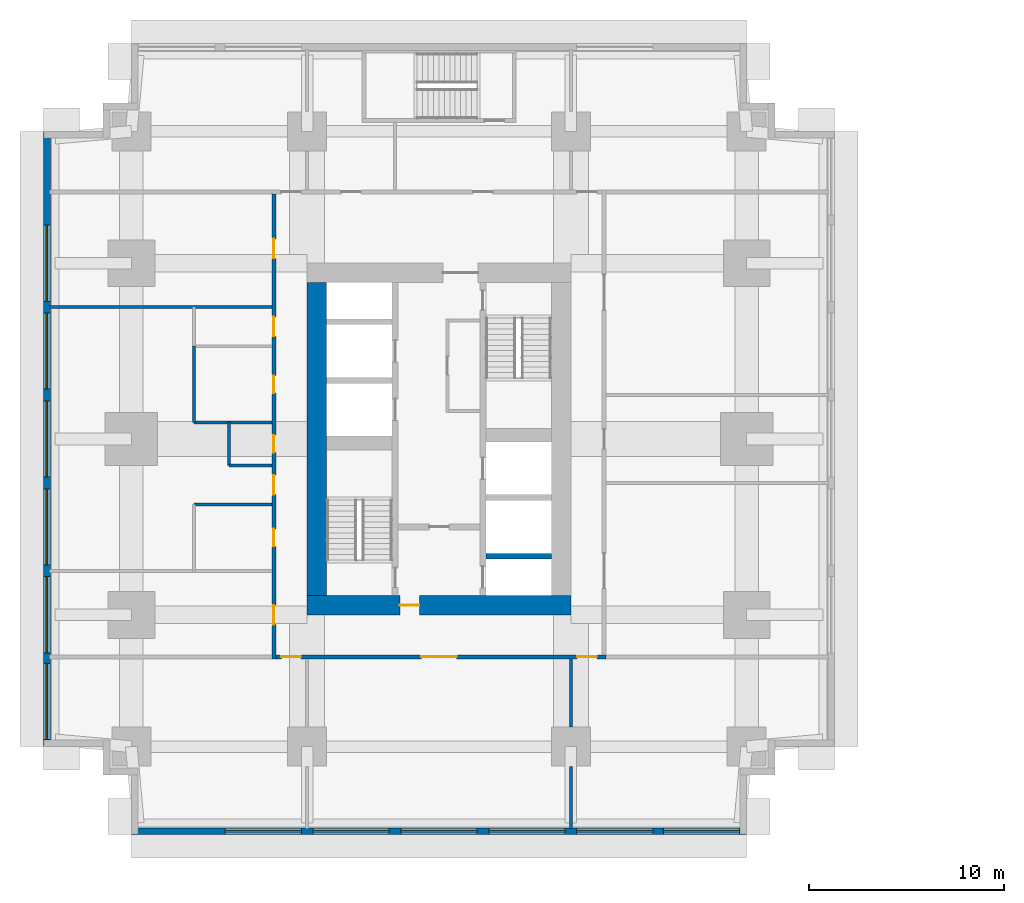
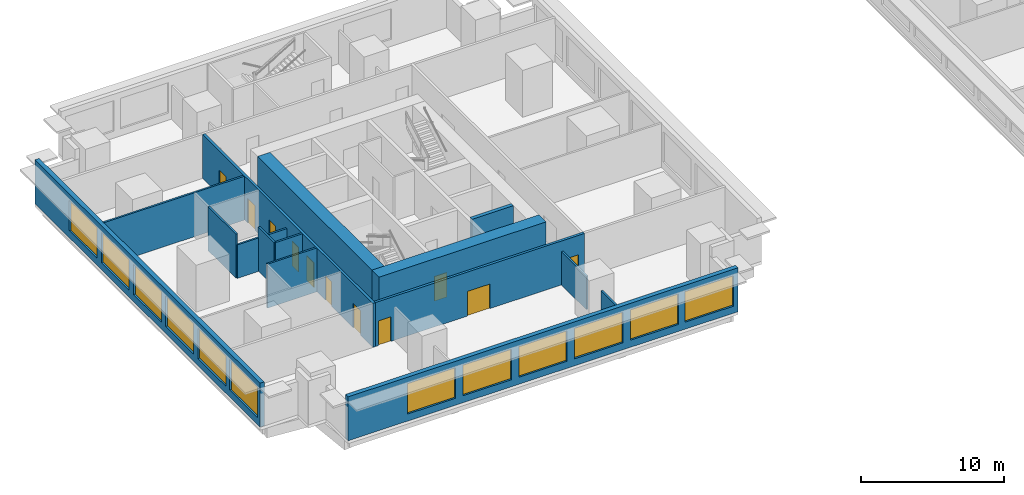
# One storey, part 3 of 11: 15 walls, 12 windows, 11 doors, 23 openings.
"""IFC4 building model written with IfcOpenShell, lengths in metres."""

from ifc_helpers import new_model, si_unit, direction, frame, frame_2d, origin, place, context, subcontext, project, spatial, rectangle, extrude, material, layer, layer_set, type_object, element, fill, save


model = new_model("IFC4")

# Units and contexts
model_context = context("Model", 3, precision=1e-05, world=origin(), true_north=direction((0.0, 1.0)))
body_context = subcontext(model_context, "Body", "Model", "MODEL_VIEW")
ifc_project = project(units=[si_unit("LENGTHUNIT", "METRE"), si_unit("AREAUNIT", "SQUARE_METRE"), si_unit("VOLUMEUNIT", "CUBIC_METRE"), si_unit("PLANEANGLEUNIT", "RADIAN"), si_unit("MASSUNIT", "GRAM", prefix="KILO")], contexts=[model_context])

# Site, building, storey
site_placement = place(None, origin())
site = spatial("IfcSite", under=ifc_project, at=site_placement, CompositionType="ELEMENT")
building_placement = place(site_placement, origin())
building = spatial("IfcBuilding", under=site, at=building_placement, Name="Namib Vertical Campus", CompositionType="ELEMENT")
storey_placement = place(building_placement, frame((0.0, 0.0, 53.0)))
storey = spatial("IfcBuildingStorey", under=building, at=storey_placement, Name="L12", CompositionType="ELEMENT", Elevation=53.0)

# Wall
ifc_material_1 = material(Name="Concrete C60/75", Category="concrete")
ifc_layer_1 = layer(ifc_material_1, 0.300048828125)
ifc_layer_set_1 = layer_set([ifc_layer_1], Name="Concrete C60/75")
wall_type_1 = type_object("IfcWallType", Name="Core inner wall 300", PredefinedType="SHEAR", material=ifc_layer_set_1)
wall_1_placement = place(storey_placement, frame((22.64990234375, 14.25, 0.0), z_axis=(0.0, 0.0, 1.0), x_axis=(1.0, 0.0, 0.0)))
element("IfcWall", 1, at=wall_1_placement, inside=storey, type_object=wall_type_1, Name="Core inner wall A L12 W5", PredefinedType="SHEAR", context=body_context, shape_type="SweptSolid", body=[
    extrude(rectangle(XDim=3.35009765625, YDim=0.300048828125, at=frame_2d((1.675048828125, 0.0))), origin(), (0.0, 0.0, 1.0), 4.0),
])

# Wall, opening, door
ifc_material_2 = material(Name="Concrete C60/75", Category="concrete")
ifc_layer_2 = layer(ifc_material_2, 1.0)
ifc_layer_set_2 = layer_set([ifc_layer_2], Name="Concrete C60/75")
wall_type_2 = type_object("IfcWallType", Name="Core wall 1000", PredefinedType="SHEAR", material=ifc_layer_set_2)
wall_2_placement = place(storey_placement, frame((13.5, 11.75, 0.0), z_axis=(0.0, 0.0, 1.0), x_axis=(1.0, 0.0, 0.0)))
wall_2 = element("IfcWall", 2, at=wall_2_placement, inside=storey, type_object=wall_type_2, Name="Core wall A L12 1", PredefinedType="SHEAR", context=body_context, shape_type="SweptSolid", body=[
    extrude(rectangle(XDim=13.5, YDim=1.0, at=frame_2d((6.75, 0.0))), origin(), (0.0, 0.0, 1.0), 4.0),
])
opening_1_placement = place(wall_2_placement, frame((4.75, 0.0, 0.0)))
opening_1 = element("IfcOpeningElement", 3, at=opening_1_placement, cuts=wall_2, Name="Opening FD5", PredefinedType="OPENING", context=body_context, shape_type="SweptSolid", body=[
    extrude(rectangle(XDim=1.0, YDim=2.10009765625, at=frame_2d((0.5, 1.050048828125))), frame((0.0, 0.510009765625, 0.0), z_axis=(0.0, -1.0, 0.0), x_axis=(1.0, 0.0, 0.0)), (0.0, 0.0, 1.0), 1.02001953125),
])
ifc_material_3 = material(Name="Steel fire door", Category="steel")
door_type_1 = type_object("IfcDoorType", Name="Fire door 1000x2100 120 min", OperationType="SINGLE_SWING_RIGHT", PredefinedType="DOOR", material=ifc_material_3)
door_1_placement = place(opening_1_placement, origin())
door_1 = element("IfcDoor", 4, at=door_1_placement, inside=storey, type_object=door_type_1, Name="Firefighting lobby door FD5 A L12", OperationType="SINGLE_SWING_LEFT", OverallHeight=2.10009765625, OverallWidth=1.0, PredefinedType="DOOR", context=body_context, shape_type="SweptSolid", body=[
    extrude(rectangle(XDim=1.0, YDim=2.10009765625, at=frame_2d((0.5, 1.050048828125))), frame((0.0, 0.02490234375, 0.0), z_axis=(0.0, -1.0, 0.0), x_axis=(1.0, 0.0, 0.0)), (0.0, 0.0, 1.0), 0.050048828125),
])
fill(opening_1, door_1)

# Wall
wall_3_placement = place(storey_placement, frame((14.0, 28.25, 0.0), z_axis=(0.0, 0.0, 1.0), x_axis=(0.0, -1.0, 0.0)))
element("IfcWall", 5, at=wall_3_placement, inside=storey, type_object=wall_type_2, Name="Core wall A L12 4", PredefinedType="SHEAR", context=body_context, shape_type="SweptSolid", body=[
    extrude(rectangle(XDim=16.0, YDim=1.0, at=frame_2d((8.0, 0.0))), origin(), (0.0, 0.0, 1.0), 4.0),
])

# Wall, openings, doors
ifc_material_4 = material(Name="Concrete masonry", Category="masonry")
ifc_layer_3 = layer(ifc_material_4, 0.199951171875)
ifc_layer_set_3 = layer_set([ifc_layer_3], Name="Corridor wall 200")
wall_type_3 = type_object("IfcWallType", Name="Corridor wall 200", PredefinedType="SOLIDWALL", material=ifc_layer_set_3)
wall_4_placement = place(storey_placement, frame((11.89990234375, 9.10009765625, 0.0), z_axis=(0.0, 0.0, 1.0), x_axis=(1.0, 0.0, 0.0)))
wall_4 = element("IfcWall", 6, at=wall_4_placement, inside=storey, type_object=wall_type_3, Name="Corridor wall A L12 CS", PredefinedType="SOLIDWALL", context=body_context, shape_type="SweptSolid", body=[
    extrude(rectangle(XDim=16.900146484375, YDim=0.199951171875, at=frame_2d((8.4501953125, 0.0))), origin(), (0.0, 0.0, 1.0), 3.75),
])
opening_2_placement = place(wall_4_placement, frame((0.27490234375, 0.0, 0.0)))
opening_2 = element("IfcOpeningElement", 7, at=opening_2_placement, cuts=wall_4, Name="Opening CD1", PredefinedType="OPENING", context=body_context, shape_type="SweptSolid", body=[
    extrude(rectangle(XDim=1.0, YDim=2.10009765625, at=frame_2d((0.5, 1.050048828125))), frame((0.0, 0.10986328125, 0.0), z_axis=(0.0, -1.0, 0.0), x_axis=(1.0, 0.0, 0.0)), (0.0, 0.0, 1.0), 0.219970703125),
])
opening_3_placement = place(wall_4_placement, frame((7.449951171875, 0.0, 0.0)))
opening_3 = element("IfcOpeningElement", 8, at=opening_3_placement, cuts=wall_4, Name="Opening CD2", PredefinedType="OPENING", context=body_context, shape_type="SweptSolid", body=[
    extrude(rectangle(XDim=1.800048828125, YDim=2.10009765625, at=frame_2d((0.89990234375, 1.050048828125))), frame((0.0, 0.10986328125, 0.0), z_axis=(0.0, -1.0, 0.0), x_axis=(1.0, 0.0, 0.0)), (0.0, 0.0, 1.0), 0.219970703125),
])
opening_4_placement = place(wall_4_placement, frame((15.425048828125, 0.0, 0.0)))
opening_4 = element("IfcOpeningElement", 9, at=opening_4_placement, cuts=wall_4, Name="Opening CD1", PredefinedType="OPENING", context=body_context, shape_type="SweptSolid", body=[
    extrude(rectangle(XDim=1.0, YDim=2.10009765625, at=frame_2d((0.5, 1.050048828125))), frame((0.0, 0.10986328125, 0.0), z_axis=(0.0, -1.0, 0.0), x_axis=(1.0, 0.0, 0.0)), (0.0, 0.0, 1.0), 0.219970703125),
])
ifc_material_5 = material(Name="Timber fire door leaf", Category="wood")
door_type_2 = type_object("IfcDoorType", Name="Corridor door 1000x2100 20 min", OperationType="SINGLE_SWING_LEFT", PredefinedType="DOOR", material=ifc_material_5)
door_2_placement = place(opening_2_placement, frame((1.0, 0.0, 0.0), z_axis=(0.0, 0.0, 1.0), x_axis=(-1.0, 0.0, 0.0)))
door_2 = element("IfcDoor", 10, at=door_2_placement, inside=storey, type_object=door_type_2, Name="Door CD1 A12-01", OperationType="SINGLE_SWING_LEFT", OverallHeight=2.10009765625, OverallWidth=1.0, PredefinedType="DOOR", context=body_context, shape_type="SweptSolid", body=[
    extrude(rectangle(XDim=1.0, YDim=2.10009765625, at=frame_2d((0.5, 1.050048828125))), frame((0.0, 0.02490234375, 0.0), z_axis=(0.0, -1.0, 0.0), x_axis=(1.0, 0.0, 0.0)), (0.0, 0.0, 1.0), 0.050048828125),
])
fill(opening_2, door_2)
door_3_placement = place(opening_4_placement, frame((1.0, 0.0, 0.0), z_axis=(0.0, 0.0, 1.0), x_axis=(-1.0, 0.0, 0.0)))
door_3 = element("IfcDoor", 11, at=door_3_placement, inside=storey, type_object=door_type_2, Name="Door CD1 A12-03", OperationType="SINGLE_SWING_RIGHT", OverallHeight=2.10009765625, OverallWidth=1.0, PredefinedType="DOOR", context=body_context, shape_type="SweptSolid", body=[
    extrude(rectangle(XDim=1.0, YDim=2.10009765625, at=frame_2d((0.5, 1.050048828125))), frame((0.0, 0.02490234375, 0.0), z_axis=(0.0, -1.0, 0.0), x_axis=(1.0, 0.0, 0.0)), (0.0, 0.0, 1.0), 0.050048828125),
])
fill(opening_4, door_3)
ifc_material_6 = material(Name="Timber fire door leaf", Category="wood")
door_type_3 = type_object("IfcDoorType", Name="Corridor door double 1800x2100 20 min", OperationType="DOUBLE_DOOR_SINGLE_SWING", PredefinedType="DOOR", material=ifc_material_6)
door_4_placement = place(opening_3_placement, frame((1.800048828125, 0.0, 0.0), z_axis=(0.0, 0.0, 1.0), x_axis=(-1.0, 0.0, 0.0)))
door_4 = element("IfcDoor", 12, at=door_4_placement, inside=storey, type_object=door_type_3, Name="Door CD2 A12-02", OperationType="DOUBLE_DOOR_SINGLE_SWING", OverallHeight=2.10009765625, OverallWidth=1.800048828125, PredefinedType="DOOR", context=body_context, shape_type="SweptSolid", body=[
    extrude(rectangle(XDim=1.800048828125, YDim=2.10009765625, at=frame_2d((0.89990234375, 1.050048828125))), frame((0.0, 0.02490234375, 0.0), z_axis=(0.0, -1.0, 0.0), x_axis=(1.0, 0.0, 0.0)), (0.0, 0.0, 1.0), 0.050048828125),
])
fill(opening_3, door_4)

wall_5_placement = place(storey_placement, frame((11.800048828125, 32.800048828125, 0.0), z_axis=(0.0, 0.0, 1.0), x_axis=(0.0, -1.0, 0.0)))
wall_5 = element("IfcWall", 13, at=wall_5_placement, inside=storey, type_object=wall_type_3, Name="Corridor wall A L12 CW", PredefinedType="SOLIDWALL", context=body_context, shape_type="SweptSolid", body=[
    extrude(rectangle(XDim=23.800048828125, YDim=0.199951171875, at=frame_2d((11.89990234375, 0.0))), origin(), (0.0, 0.0, 1.0), 3.75),
])
opening_5_placement = place(wall_5_placement, frame((21.050048828125, 0.0, 0.0)))
opening_5 = element("IfcOpeningElement", 14, at=opening_5_placement, cuts=wall_5, Name="Opening CD1", PredefinedType="OPENING", context=body_context, shape_type="SweptSolid", body=[
    extrude(rectangle(XDim=1.0, YDim=2.10009765625, at=frame_2d((0.5, 1.050048828125))), frame((0.0, 0.10986328125, 0.0), z_axis=(0.0, -1.0, 0.0), x_axis=(1.0, 0.0, 0.0)), (0.0, 0.0, 1.0), 0.219970703125),
])
opening_6_placement = place(wall_5_placement, frame((17.14990234375, 0.0, 0.0)))
opening_6 = element("IfcOpeningElement", 15, at=opening_6_placement, cuts=wall_5, Name="Opening CD3", PredefinedType="OPENING", context=body_context, shape_type="SweptSolid", body=[
    extrude(rectangle(XDim=0.89990234375, YDim=2.10009765625, at=frame_2d((0.449951171875, 1.050048828125))), frame((0.0, 0.10986328125, 0.0), z_axis=(0.0, -1.0, 0.0), x_axis=(1.0, 0.0, 0.0)), (0.0, 0.0, 1.0), 0.219970703125),
])
opening_7_placement = place(wall_5_placement, frame((12.35009765625, 0.0, 0.0)))
opening_7 = element("IfcOpeningElement", 16, at=opening_7_placement, cuts=wall_5, Name="Opening CD3", PredefinedType="OPENING", context=body_context, shape_type="SweptSolid", body=[
    extrude(rectangle(XDim=0.89990234375, YDim=2.10009765625, at=frame_2d((0.449951171875, 1.050048828125))), frame((0.0, 0.10986328125, 0.0), z_axis=(0.0, -1.0, 0.0), x_axis=(1.0, 0.0, 0.0)), (0.0, 0.0, 1.0), 0.219970703125),
])
opening_8_placement = place(wall_5_placement, frame((9.300048828125, 0.0, 0.0)))
opening_8 = element("IfcOpeningElement", 17, at=opening_8_placement, cuts=wall_5, Name="Opening CD3", PredefinedType="OPENING", context=body_context, shape_type="SweptSolid", body=[
    extrude(rectangle(XDim=0.89990234375, YDim=2.10009765625, at=frame_2d((0.449951171875, 1.050048828125))), frame((0.0, 0.10986328125, 0.0), z_axis=(0.0, -1.0, 0.0), x_axis=(1.0, 0.0, 0.0)), (0.0, 0.0, 1.0), 0.219970703125),
])
opening_9_placement = place(wall_5_placement, frame((6.300048828125, 0.0, 0.0)))
opening_9 = element("IfcOpeningElement", 18, at=opening_9_placement, cuts=wall_5, Name="Opening CD1", PredefinedType="OPENING", context=body_context, shape_type="SweptSolid", body=[
    extrude(rectangle(XDim=1.0, YDim=2.10009765625, at=frame_2d((0.5, 1.050048828125))), frame((0.0, 0.10986328125, 0.0), z_axis=(0.0, -1.0, 0.0), x_axis=(1.0, 0.0, 0.0)), (0.0, 0.0, 1.0), 0.219970703125),
])
opening_10_placement = place(wall_5_placement, frame((14.39990234375, 0.0, 0.0)))
opening_10 = element("IfcOpeningElement", 19, at=opening_10_placement, cuts=wall_5, Name="Opening CD1", PredefinedType="OPENING", context=body_context, shape_type="SweptSolid", body=[
    extrude(rectangle(XDim=1.0, YDim=2.10009765625, at=frame_2d((0.5, 1.050048828125))), frame((0.0, 0.10986328125, 0.0), z_axis=(0.0, -1.0, 0.0), x_axis=(1.0, 0.0, 0.0)), (0.0, 0.0, 1.0), 0.219970703125),
])
opening_11_placement = place(wall_5_placement, frame((2.300048828125, 0.0, 0.0)))
opening_11 = element("IfcOpeningElement", 20, at=opening_11_placement, cuts=wall_5, Name="Opening CD1", PredefinedType="OPENING", context=body_context, shape_type="SweptSolid", body=[
    extrude(rectangle(XDim=1.0, YDim=2.10009765625, at=frame_2d((0.5, 1.050048828125))), frame((0.0, 0.10986328125, 0.0), z_axis=(0.0, -1.0, 0.0), x_axis=(1.0, 0.0, 0.0)), (0.0, 0.0, 1.0), 0.219970703125),
])
door_5_placement = place(opening_5_placement, frame((1.0, 0.0, 0.0), z_axis=(0.0, 0.0, 1.0), x_axis=(-1.0, 0.0, 0.0)))
door_5 = element("IfcDoor", 21, at=door_5_placement, inside=storey, type_object=door_type_2, Name="Door CD1 A12-11", OperationType="SINGLE_SWING_RIGHT", OverallHeight=2.10009765625, OverallWidth=1.0, PredefinedType="DOOR", context=body_context, shape_type="SweptSolid", body=[
    extrude(rectangle(XDim=1.0, YDim=2.10009765625, at=frame_2d((0.5, 1.050048828125))), frame((0.0, 0.02490234375, 0.0), z_axis=(0.0, -1.0, 0.0), x_axis=(1.0, 0.0, 0.0)), (0.0, 0.0, 1.0), 0.050048828125),
])
fill(opening_5, door_5)
door_6_placement = place(opening_9_placement, frame((1.0, 0.0, 0.0), z_axis=(0.0, 0.0, 1.0), x_axis=(-1.0, 0.0, 0.0)))
door_6 = element("IfcDoor", 22, at=door_6_placement, inside=storey, type_object=door_type_2, Name="Door CD1 A12-15", OperationType="SINGLE_SWING_RIGHT", OverallHeight=2.10009765625, OverallWidth=1.0, PredefinedType="DOOR", context=body_context, shape_type="SweptSolid", body=[
    extrude(rectangle(XDim=1.0, YDim=2.10009765625, at=frame_2d((0.5, 1.050048828125))), frame((0.0, 0.02490234375, 0.0), z_axis=(0.0, -1.0, 0.0), x_axis=(1.0, 0.0, 0.0)), (0.0, 0.0, 1.0), 0.050048828125),
])
fill(opening_9, door_6)
door_7_placement = place(opening_10_placement, frame((1.0, 0.0, 0.0), z_axis=(0.0, 0.0, 1.0), x_axis=(-1.0, 0.0, 0.0)))
door_7 = element("IfcDoor", 23, at=door_7_placement, inside=storey, type_object=door_type_2, Name="Door CD1 A12-16", OperationType="SINGLE_SWING_RIGHT", OverallHeight=2.10009765625, OverallWidth=1.0, PredefinedType="DOOR", context=body_context, shape_type="SweptSolid", body=[
    extrude(rectangle(XDim=1.0, YDim=2.10009765625, at=frame_2d((0.5, 1.050048828125))), frame((0.0, 0.02490234375, 0.0), z_axis=(0.0, -1.0, 0.0), x_axis=(1.0, 0.0, 0.0)), (0.0, 0.0, 1.0), 0.050048828125),
])
fill(opening_10, door_7)
door_8_placement = place(opening_11_placement, frame((1.0, 0.0, 0.0), z_axis=(0.0, 0.0, 1.0), x_axis=(-1.0, 0.0, 0.0)))
door_8 = element("IfcDoor", 24, at=door_8_placement, inside=storey, type_object=door_type_2, Name="Door CD1 A12-17", OperationType="SINGLE_SWING_RIGHT", OverallHeight=2.10009765625, OverallWidth=1.0, PredefinedType="DOOR", context=body_context, shape_type="SweptSolid", body=[
    extrude(rectangle(XDim=1.0, YDim=2.10009765625, at=frame_2d((0.5, 1.050048828125))), frame((0.0, 0.02490234375, 0.0), z_axis=(0.0, -1.0, 0.0), x_axis=(1.0, 0.0, 0.0)), (0.0, 0.0, 1.0), 0.050048828125),
])
fill(opening_11, door_8)
ifc_material_7 = material(Name="Timber fire door leaf", Category="wood")
door_type_4 = type_object("IfcDoorType", Name="Corridor toilet door 900x2100 20 min", OperationType="SINGLE_SWING_LEFT", PredefinedType="DOOR", material=ifc_material_7)
door_9_placement = place(opening_6_placement, frame((0.89990234375, 0.0, 0.0), z_axis=(0.0, 0.0, 1.0), x_axis=(-1.0, 0.0, 0.0)))
door_9 = element("IfcDoor", 25, at=door_9_placement, inside=storey, type_object=door_type_4, Name="Door CD3 A12-12", OperationType="SINGLE_SWING_RIGHT", OverallHeight=2.10009765625, OverallWidth=0.89990234375, PredefinedType="DOOR", context=body_context, shape_type="SweptSolid", body=[
    extrude(rectangle(XDim=0.89990234375, YDim=2.10009765625, at=frame_2d((0.449951171875, 1.050048828125))), frame((0.0, 0.02490234375, 0.0), z_axis=(0.0, -1.0, 0.0), x_axis=(1.0, 0.0, 0.0)), (0.0, 0.0, 1.0), 0.050048828125),
])
fill(opening_6, door_9)
door_10_placement = place(opening_7_placement, frame((0.89990234375, 0.0, 0.0), z_axis=(0.0, 0.0, 1.0), x_axis=(-1.0, 0.0, 0.0)))
door_10 = element("IfcDoor", 26, at=door_10_placement, inside=storey, type_object=door_type_4, Name="Door CD3 A12-13", OperationType="SINGLE_SWING_RIGHT", OverallHeight=2.10009765625, OverallWidth=0.89990234375, PredefinedType="DOOR", context=body_context, shape_type="SweptSolid", body=[
    extrude(rectangle(XDim=0.89990234375, YDim=2.10009765625, at=frame_2d((0.449951171875, 1.050048828125))), frame((0.0, 0.02490234375, 0.0), z_axis=(0.0, -1.0, 0.0), x_axis=(1.0, 0.0, 0.0)), (0.0, 0.0, 1.0), 0.050048828125),
])
fill(opening_7, door_10)
door_11_placement = place(opening_8_placement, frame((0.89990234375, 0.0, 0.0), z_axis=(0.0, 0.0, 1.0), x_axis=(-1.0, 0.0, 0.0)))
door_11 = element("IfcDoor", 27, at=door_11_placement, inside=storey, type_object=door_type_4, Name="Door CD3 A12-14", OperationType="SINGLE_SWING_RIGHT", OverallHeight=2.10009765625, OverallWidth=0.89990234375, PredefinedType="DOOR", context=body_context, shape_type="SweptSolid", body=[
    extrude(rectangle(XDim=0.89990234375, YDim=2.10009765625, at=frame_2d((0.449951171875, 1.050048828125))), frame((0.0, 0.02490234375, 0.0), z_axis=(0.0, -1.0, 0.0), x_axis=(1.0, 0.0, 0.0)), (0.0, 0.0, 1.0), 0.050048828125),
])
fill(opening_8, door_11)

# Wall, openings, windows
ifc_material_8 = material(Name="Concrete C40/50", Category="concrete")
ifc_layer_4 = layer(ifc_material_8, 0.35009765625)
ifc_layer_set_4 = layer_set([ifc_layer_4], Name="Concrete C40/50")
wall_type_4 = type_object("IfcWallType", Name="External wall 350 bush-hammered concrete", PredefinedType="STANDARD", material=ifc_layer_set_4)
wall_6_placement = place(storey_placement, frame((4.52001953125, 0.175048828125, 0.0), z_axis=(0.0, 0.0, 1.0), x_axis=(1.0, 0.0, 0.0)))
wall_6 = element("IfcWall", 28, at=wall_6_placement, inside=storey, type_object=wall_type_4, Name="External wall L12 F01", PredefinedType="STANDARD", context=body_context, shape_type="SweptSolid", body=[
    extrude(rectangle(XDim=31.4599609375, YDim=0.35009765625, at=frame_2d((15.72998046875, 0.0))), origin(), (0.0, 0.0, 1.0), 3.75),
])
opening_12_placement = place(wall_6_placement, frame((4.780029296875, 0.0, 0.60009765625)))
opening_12 = element("IfcOpeningElement", 29, at=opening_12_placement, cuts=wall_6, Name="Opening W2", PredefinedType="OPENING", context=body_context, shape_type="SweptSolid", body=[
    extrude(rectangle(XDim=3.89990234375, YDim=2.60009765625, at=frame_2d((1.949951171875, 1.300048828125))), frame((0.0, 0.18505859375, 0.0), z_axis=(0.0, -1.0, 0.0), x_axis=(1.0, 0.0, 0.0)), (0.0, 0.0, 1.0), 0.3701171875),
])
opening_13_placement = place(wall_6_placement, frame((9.280029296875, 0.0, 0.60009765625)))
opening_13 = element("IfcOpeningElement", 30, at=opening_13_placement, cuts=wall_6, Name="Opening W2", PredefinedType="OPENING", context=body_context, shape_type="SweptSolid", body=[
    extrude(rectangle(XDim=3.89990234375, YDim=2.60009765625, at=frame_2d((1.949951171875, 1.300048828125))), frame((0.0, 0.18505859375, 0.0), z_axis=(0.0, -1.0, 0.0), x_axis=(1.0, 0.0, 0.0)), (0.0, 0.0, 1.0), 0.3701171875),
])
opening_14_placement = place(wall_6_placement, frame((13.780029296875, 0.0, 0.60009765625)))
opening_14 = element("IfcOpeningElement", 31, at=opening_14_placement, cuts=wall_6, Name="Opening W2", PredefinedType="OPENING", context=body_context, shape_type="SweptSolid", body=[
    extrude(rectangle(XDim=3.89990234375, YDim=2.60009765625, at=frame_2d((1.949951171875, 1.300048828125))), frame((0.0, 0.18505859375, 0.0), z_axis=(0.0, -1.0, 0.0), x_axis=(1.0, 0.0, 0.0)), (0.0, 0.0, 1.0), 0.3701171875),
])
opening_15_placement = place(wall_6_placement, frame((18.280029296875, 0.0, 0.60009765625)))
opening_15 = element("IfcOpeningElement", 32, at=opening_15_placement, cuts=wall_6, Name="Opening W2", PredefinedType="OPENING", context=body_context, shape_type="SweptSolid", body=[
    extrude(rectangle(XDim=3.89990234375, YDim=2.60009765625, at=frame_2d((1.949951171875, 1.300048828125))), frame((0.0, 0.18505859375, 0.0), z_axis=(0.0, -1.0, 0.0), x_axis=(1.0, 0.0, 0.0)), (0.0, 0.0, 1.0), 0.3701171875),
])
opening_16_placement = place(wall_6_placement, frame((22.780029296875, 0.0, 0.60009765625)))
opening_16 = element("IfcOpeningElement", 33, at=opening_16_placement, cuts=wall_6, Name="Opening W2", PredefinedType="OPENING", context=body_context, shape_type="SweptSolid", body=[
    extrude(rectangle(XDim=3.89990234375, YDim=2.60009765625, at=frame_2d((1.949951171875, 1.300048828125))), frame((0.0, 0.18505859375, 0.0), z_axis=(0.0, -1.0, 0.0), x_axis=(1.0, 0.0, 0.0)), (0.0, 0.0, 1.0), 0.3701171875),
])
opening_17_placement = place(wall_6_placement, frame((27.2099609375, 0.0, 0.60009765625)))
opening_17 = element("IfcOpeningElement", 34, at=opening_17_placement, cuts=wall_6, Name="Opening W2", PredefinedType="OPENING", context=body_context, shape_type="SweptSolid", body=[
    extrude(rectangle(XDim=3.89990234375, YDim=2.60009765625, at=frame_2d((1.949951171875, 1.300048828125))), frame((0.0, 0.18505859375, 0.0), z_axis=(0.0, -1.0, 0.0), x_axis=(1.0, 0.0, 0.0)), (0.0, 0.0, 1.0), 0.3701171875),
])
ifc_material_9 = material(Name="Dark tinted glass in black aluminium frame", Category="aluminium")
window_type = type_object("IfcWindowType", Name="Ribbon window 3900x2600", PartitioningType="SINGLE_PANEL", PredefinedType="WINDOW", material=ifc_material_9)
window_1_placement = place(opening_12_placement, origin())
window_1 = element("IfcWindow", 35, at=window_1_placement, inside=storey, type_object=window_type, Name="Window W2 L12 F01-2", OverallHeight=2.60009765625, OverallWidth=3.89990234375, PartitioningType="SINGLE_PANEL", PredefinedType="WINDOW", context=body_context, shape_type="SweptSolid", body=[
    extrude(rectangle(XDim=3.89990234375, YDim=2.60009765625, at=frame_2d((1.949951171875, 1.300048828125))), frame((0.0, 0.030029296875, 0.0), z_axis=(0.0, -1.0, 0.0), x_axis=(1.0, 0.0, 0.0)), (0.0, 0.0, 1.0), 0.06005859375),
])
fill(opening_12, window_1)
window_2_placement = place(opening_13_placement, origin())
window_2 = element("IfcWindow", 36, at=window_2_placement, inside=storey, type_object=window_type, Name="Window W2 L12 F01-3", OverallHeight=2.60009765625, OverallWidth=3.89990234375, PartitioningType="SINGLE_PANEL", PredefinedType="WINDOW", context=body_context, shape_type="SweptSolid", body=[
    extrude(rectangle(XDim=3.89990234375, YDim=2.60009765625, at=frame_2d((1.949951171875, 1.300048828125))), frame((0.0, 0.030029296875, 0.0), z_axis=(0.0, -1.0, 0.0), x_axis=(1.0, 0.0, 0.0)), (0.0, 0.0, 1.0), 0.06005859375),
])
fill(opening_13, window_2)
window_3_placement = place(opening_14_placement, origin())
window_3 = element("IfcWindow", 37, at=window_3_placement, inside=storey, type_object=window_type, Name="Window W2 L12 F01-4", OverallHeight=2.60009765625, OverallWidth=3.89990234375, PartitioningType="SINGLE_PANEL", PredefinedType="WINDOW", context=body_context, shape_type="SweptSolid", body=[
    extrude(rectangle(XDim=3.89990234375, YDim=2.60009765625, at=frame_2d((1.949951171875, 1.300048828125))), frame((0.0, 0.030029296875, 0.0), z_axis=(0.0, -1.0, 0.0), x_axis=(1.0, 0.0, 0.0)), (0.0, 0.0, 1.0), 0.06005859375),
])
fill(opening_14, window_3)
window_4_placement = place(opening_15_placement, origin())
window_4 = element("IfcWindow", 38, at=window_4_placement, inside=storey, type_object=window_type, Name="Window W2 L12 F01-5", OverallHeight=2.60009765625, OverallWidth=3.89990234375, PartitioningType="SINGLE_PANEL", PredefinedType="WINDOW", context=body_context, shape_type="SweptSolid", body=[
    extrude(rectangle(XDim=3.89990234375, YDim=2.60009765625, at=frame_2d((1.949951171875, 1.300048828125))), frame((0.0, 0.030029296875, 0.0), z_axis=(0.0, -1.0, 0.0), x_axis=(1.0, 0.0, 0.0)), (0.0, 0.0, 1.0), 0.06005859375),
])
fill(opening_15, window_4)
window_5_placement = place(opening_16_placement, origin())
window_5 = element("IfcWindow", 39, at=window_5_placement, inside=storey, type_object=window_type, Name="Window W2 L12 F01-6", OverallHeight=2.60009765625, OverallWidth=3.89990234375, PartitioningType="SINGLE_PANEL", PredefinedType="WINDOW", context=body_context, shape_type="SweptSolid", body=[
    extrude(rectangle(XDim=3.89990234375, YDim=2.60009765625, at=frame_2d((1.949951171875, 1.300048828125))), frame((0.0, 0.030029296875, 0.0), z_axis=(0.0, -1.0, 0.0), x_axis=(1.0, 0.0, 0.0)), (0.0, 0.0, 1.0), 0.06005859375),
])
fill(opening_16, window_5)
window_6_placement = place(opening_17_placement, origin())
window_6 = element("IfcWindow", 40, at=window_6_placement, inside=storey, type_object=window_type, Name="Window W2 L12 F01-7", OverallHeight=2.60009765625, OverallWidth=3.89990234375, PartitioningType="SINGLE_PANEL", PredefinedType="WINDOW", context=body_context, shape_type="SweptSolid", body=[
    extrude(rectangle(XDim=3.89990234375, YDim=2.60009765625, at=frame_2d((1.949951171875, 1.300048828125))), frame((0.0, 0.030029296875, 0.0), z_axis=(0.0, -1.0, 0.0), x_axis=(1.0, 0.0, 0.0)), (0.0, 0.0, 1.0), 0.06005859375),
])
fill(opening_17, window_6)

wall_7_placement = place(storey_placement, frame((0.175048828125, 35.97998046875, 0.0), z_axis=(0.0, 0.0, 1.0), x_axis=(0.0, -1.0, 0.0)))
wall_7 = element("IfcWall", 41, at=wall_7_placement, inside=storey, type_object=wall_type_4, Name="External wall L12 F16", PredefinedType="STANDARD", context=body_context, shape_type="SweptSolid", body=[
    extrude(rectangle(XDim=31.4599609375, YDim=0.35009765625, at=frame_2d((15.72998046875, 0.0))), origin(), (0.0, 0.0, 1.0), 3.75),
])
opening_18_placement = place(wall_7_placement, frame((27.2099609375, 0.0, 0.60009765625)))
opening_18 = element("IfcOpeningElement", 42, at=opening_18_placement, cuts=wall_7, Name="Opening W2", PredefinedType="OPENING", context=body_context, shape_type="SweptSolid", body=[
    extrude(rectangle(XDim=3.89990234375, YDim=2.60009765625, at=frame_2d((1.949951171875, 1.300048828125))), frame((0.0, 0.18505859375, 0.0), z_axis=(0.0, -1.0, 0.0), x_axis=(1.0, 0.0, 0.0)), (0.0, 0.0, 1.0), 0.3701171875),
])
opening_19_placement = place(wall_7_placement, frame((22.780029296875, 0.0, 0.60009765625)))
opening_19 = element("IfcOpeningElement", 43, at=opening_19_placement, cuts=wall_7, Name="Opening W2", PredefinedType="OPENING", context=body_context, shape_type="SweptSolid", body=[
    extrude(rectangle(XDim=3.89990234375, YDim=2.60009765625, at=frame_2d((1.949951171875, 1.300048828125))), frame((0.0, 0.18505859375, 0.0), z_axis=(0.0, -1.0, 0.0), x_axis=(1.0, 0.0, 0.0)), (0.0, 0.0, 1.0), 0.3701171875),
])
opening_20_placement = place(wall_7_placement, frame((18.280029296875, 0.0, 0.60009765625)))
opening_20 = element("IfcOpeningElement", 44, at=opening_20_placement, cuts=wall_7, Name="Opening W2", PredefinedType="OPENING", context=body_context, shape_type="SweptSolid", body=[
    extrude(rectangle(XDim=3.89990234375, YDim=2.60009765625, at=frame_2d((1.949951171875, 1.300048828125))), frame((0.0, 0.18505859375, 0.0), z_axis=(0.0, -1.0, 0.0), x_axis=(1.0, 0.0, 0.0)), (0.0, 0.0, 1.0), 0.3701171875),
])
opening_21_placement = place(wall_7_placement, frame((13.780029296875, 0.0, 0.60009765625)))
opening_21 = element("IfcOpeningElement", 45, at=opening_21_placement, cuts=wall_7, Name="Opening W2", PredefinedType="OPENING", context=body_context, shape_type="SweptSolid", body=[
    extrude(rectangle(XDim=3.89990234375, YDim=2.60009765625, at=frame_2d((1.949951171875, 1.300048828125))), frame((0.0, 0.18505859375, 0.0), z_axis=(0.0, -1.0, 0.0), x_axis=(1.0, 0.0, 0.0)), (0.0, 0.0, 1.0), 0.3701171875),
])
opening_22_placement = place(wall_7_placement, frame((9.280029296875, 0.0, 0.60009765625)))
opening_22 = element("IfcOpeningElement", 46, at=opening_22_placement, cuts=wall_7, Name="Opening W2", PredefinedType="OPENING", context=body_context, shape_type="SweptSolid", body=[
    extrude(rectangle(XDim=3.89990234375, YDim=2.60009765625, at=frame_2d((1.949951171875, 1.300048828125))), frame((0.0, 0.18505859375, 0.0), z_axis=(0.0, -1.0, 0.0), x_axis=(1.0, 0.0, 0.0)), (0.0, 0.0, 1.0), 0.3701171875),
])
opening_23_placement = place(wall_7_placement, frame((4.780029296875, 0.0, 0.60009765625)))
opening_23 = element("IfcOpeningElement", 47, at=opening_23_placement, cuts=wall_7, Name="Opening W2", PredefinedType="OPENING", context=body_context, shape_type="SweptSolid", body=[
    extrude(rectangle(XDim=3.89990234375, YDim=2.60009765625, at=frame_2d((1.949951171875, 1.300048828125))), frame((0.0, 0.18505859375, 0.0), z_axis=(0.0, -1.0, 0.0), x_axis=(1.0, 0.0, 0.0)), (0.0, 0.0, 1.0), 0.3701171875),
])
window_7_placement = place(opening_18_placement, origin())
window_7 = element("IfcWindow", 48, at=window_7_placement, inside=storey, type_object=window_type, Name="Window W2 L12 F16-1", OverallHeight=2.60009765625, OverallWidth=3.89990234375, PartitioningType="SINGLE_PANEL", PredefinedType="WINDOW", context=body_context, shape_type="SweptSolid", body=[
    extrude(rectangle(XDim=3.89990234375, YDim=2.60009765625, at=frame_2d((1.949951171875, 1.300048828125))), frame((0.0, 0.030029296875, 0.0), z_axis=(0.0, -1.0, 0.0), x_axis=(1.0, 0.0, 0.0)), (0.0, 0.0, 1.0), 0.06005859375),
])
fill(opening_18, window_7)
window_8_placement = place(opening_19_placement, origin())
window_8 = element("IfcWindow", 49, at=window_8_placement, inside=storey, type_object=window_type, Name="Window W2 L12 F16-2", OverallHeight=2.60009765625, OverallWidth=3.89990234375, PartitioningType="SINGLE_PANEL", PredefinedType="WINDOW", context=body_context, shape_type="SweptSolid", body=[
    extrude(rectangle(XDim=3.89990234375, YDim=2.60009765625, at=frame_2d((1.949951171875, 1.300048828125))), frame((0.0, 0.030029296875, 0.0), z_axis=(0.0, -1.0, 0.0), x_axis=(1.0, 0.0, 0.0)), (0.0, 0.0, 1.0), 0.06005859375),
])
fill(opening_19, window_8)
window_9_placement = place(opening_20_placement, origin())
window_9 = element("IfcWindow", 50, at=window_9_placement, inside=storey, type_object=window_type, Name="Window W2 L12 F16-3", OverallHeight=2.60009765625, OverallWidth=3.89990234375, PartitioningType="SINGLE_PANEL", PredefinedType="WINDOW", context=body_context, shape_type="SweptSolid", body=[
    extrude(rectangle(XDim=3.89990234375, YDim=2.60009765625, at=frame_2d((1.949951171875, 1.300048828125))), frame((0.0, 0.030029296875, 0.0), z_axis=(0.0, -1.0, 0.0), x_axis=(1.0, 0.0, 0.0)), (0.0, 0.0, 1.0), 0.06005859375),
])
fill(opening_20, window_9)
window_10_placement = place(opening_21_placement, origin())
window_10 = element("IfcWindow", 51, at=window_10_placement, inside=storey, type_object=window_type, Name="Window W2 L12 F16-4", OverallHeight=2.60009765625, OverallWidth=3.89990234375, PartitioningType="SINGLE_PANEL", PredefinedType="WINDOW", context=body_context, shape_type="SweptSolid", body=[
    extrude(rectangle(XDim=3.89990234375, YDim=2.60009765625, at=frame_2d((1.949951171875, 1.300048828125))), frame((0.0, 0.030029296875, 0.0), z_axis=(0.0, -1.0, 0.0), x_axis=(1.0, 0.0, 0.0)), (0.0, 0.0, 1.0), 0.06005859375),
])
fill(opening_21, window_10)
window_11_placement = place(opening_22_placement, origin())
window_11 = element("IfcWindow", 52, at=window_11_placement, inside=storey, type_object=window_type, Name="Window W2 L12 F16-5", OverallHeight=2.60009765625, OverallWidth=3.89990234375, PartitioningType="SINGLE_PANEL", PredefinedType="WINDOW", context=body_context, shape_type="SweptSolid", body=[
    extrude(rectangle(XDim=3.89990234375, YDim=2.60009765625, at=frame_2d((1.949951171875, 1.300048828125))), frame((0.0, 0.030029296875, 0.0), z_axis=(0.0, -1.0, 0.0), x_axis=(1.0, 0.0, 0.0)), (0.0, 0.0, 1.0), 0.06005859375),
])
fill(opening_22, window_11)
window_12_placement = place(opening_23_placement, origin())
window_12 = element("IfcWindow", 53, at=window_12_placement, inside=storey, type_object=window_type, Name="Window W2 L12 F16-6", OverallHeight=2.60009765625, OverallWidth=3.89990234375, PartitioningType="SINGLE_PANEL", PredefinedType="WINDOW", context=body_context, shape_type="SweptSolid", body=[
    extrude(rectangle(XDim=3.89990234375, YDim=2.60009765625, at=frame_2d((1.949951171875, 1.300048828125))), frame((0.0, 0.030029296875, 0.0), z_axis=(0.0, -1.0, 0.0), x_axis=(1.0, 0.0, 0.0)), (0.0, 0.0, 1.0), 0.06005859375),
])
fill(opening_23, window_12)

# Walls
ifc_material_10 = material(Name="Gypsum board on steel studs", Category="steel")
ifc_layer_5 = layer(ifc_material_10, 0.14990234375)
ifc_layer_set_5 = layer_set([ifc_layer_5], Name="Gypsum board on steel studs")
wall_type_5 = type_object("IfcWallType", Name="Partition 150", PredefinedType="PARTITIONING", material=ifc_layer_set_5)
wall_8_placement = place(storey_placement, frame((27.0, 0.300048828125, 0.0), z_axis=(0.0, 0.0, 1.0), x_axis=(0.0, 1.0, 0.0)))
element("IfcWall", 54, at=wall_8_placement, inside=storey, type_object=wall_type_5, Name="Partition A L12 PS2", PredefinedType="PARTITIONING", context=body_context, shape_type="SweptSolid", body=[
    extrude(rectangle(XDim=3.179931640625, YDim=0.14990234375, at=frame_2d((1.58984375, 0.0))), origin(), (0.0, 0.0, 1.0), 2.85009765625),
])
wall_9_placement = place(storey_placement, frame((27.0, 5.52001953125, 0.0), z_axis=(0.0, 0.0, 1.0), x_axis=(0.0, 1.0, 0.0)))
element("IfcWall", 55, at=wall_9_placement, inside=storey, type_object=wall_type_5, Name="Partition A L12 PS2", PredefinedType="PARTITIONING", context=body_context, shape_type="SweptSolid", body=[
    extrude(rectangle(XDim=3.47998046875, YDim=0.14990234375, at=frame_2d((1.739990234375, 0.0))), origin(), (0.0, 0.0, 1.0), 2.85009765625),
])
wall_10_placement = place(storey_placement, frame((0.300048828125, 27.0, 0.0), z_axis=(0.0, 0.0, 1.0), x_axis=(1.0, 0.0, 0.0)))
element("IfcWall", 56, at=wall_10_placement, inside=storey, type_object=wall_type_5, Name="Partition A L12 PW2", PredefinedType="PARTITIONING", context=body_context, shape_type="SweptSolid", body=[
    extrude(rectangle(XDim=11.39990234375, YDim=0.14990234375, at=frame_2d((5.699951171875, 0.0))), origin(), (0.0, 0.0, 1.0), 3.75),
])
wall_11_placement = place(storey_placement, frame((11.699951171875, 16.89990234375, 0.0), z_axis=(0.0, 0.0, 1.0), x_axis=(-1.0, 0.0, 0.0)))
element("IfcWall", 57, at=wall_11_placement, inside=storey, type_object=wall_type_5, Name="Partition A L12 WR1", PredefinedType="PARTITIONING", context=body_context, shape_type="SweptSolid", body=[
    extrude(rectangle(XDim=4.0, YDim=0.14990234375, at=frame_2d((2.0, 0.0))), origin(), (0.0, 0.0, 1.0), 3.75),
])
wall_12_placement = place(storey_placement, frame((11.699951171875, 18.89990234375, 0.0), z_axis=(0.0, 0.0, 1.0), x_axis=(-1.0, 0.0, 0.0)))
element("IfcWall", 58, at=wall_12_placement, inside=storey, type_object=wall_type_5, Name="Partition A L12 WR2", PredefinedType="PARTITIONING", context=body_context, shape_type="SweptSolid", body=[
    extrude(rectangle(XDim=2.199951171875, YDim=0.14990234375, at=frame_2d((1.10009765625, 0.0))), origin(), (0.0, 0.0, 1.0), 3.75),
])
wall_13_placement = place(storey_placement, frame((11.699951171875, 21.10009765625, 0.0), z_axis=(0.0, 0.0, 1.0), x_axis=(-1.0, 0.0, 0.0)))
element("IfcWall", 59, at=wall_13_placement, inside=storey, type_object=wall_type_5, Name="Partition A L12 WR3", PredefinedType="PARTITIONING", context=body_context, shape_type="SweptSolid", body=[
    extrude(rectangle(XDim=4.0, YDim=0.14990234375, at=frame_2d((2.0, 0.0))), origin(), (0.0, 0.0, 1.0), 2.85009765625),
])
wall_14_placement = place(storey_placement, frame((9.5, 18.89990234375, 0.0), z_axis=(0.0, 0.0, 1.0), x_axis=(0.0, 1.0, 0.0)))
element("IfcWall", 60, at=wall_14_placement, inside=storey, type_object=wall_type_5, Name="Partition A L12 WB2", PredefinedType="PARTITIONING", context=body_context, shape_type="SweptSolid", body=[
    extrude(rectangle(XDim=2.2001953125, YDim=0.14990234375, at=frame_2d((1.10009765625, 0.0))), origin(), (0.0, 0.0, 1.0), 3.75),
])
wall_15_placement = place(storey_placement, frame((7.699951171875, 21.10009765625, 0.0), z_axis=(0.0, 0.0, 1.0), x_axis=(0.0, 1.0, 0.0)))
element("IfcWall", 61, at=wall_15_placement, inside=storey, type_object=wall_type_5, Name="Partition A L12 WB3", PredefinedType="PARTITIONING", context=body_context, shape_type="SweptSolid", body=[
    extrude(rectangle(XDim=3.89990234375, YDim=0.14990234375, at=frame_2d((1.949951171875, 0.0))), origin(), (0.0, 0.0, 1.0), 3.75),
])

save(model, "model.ifc")
